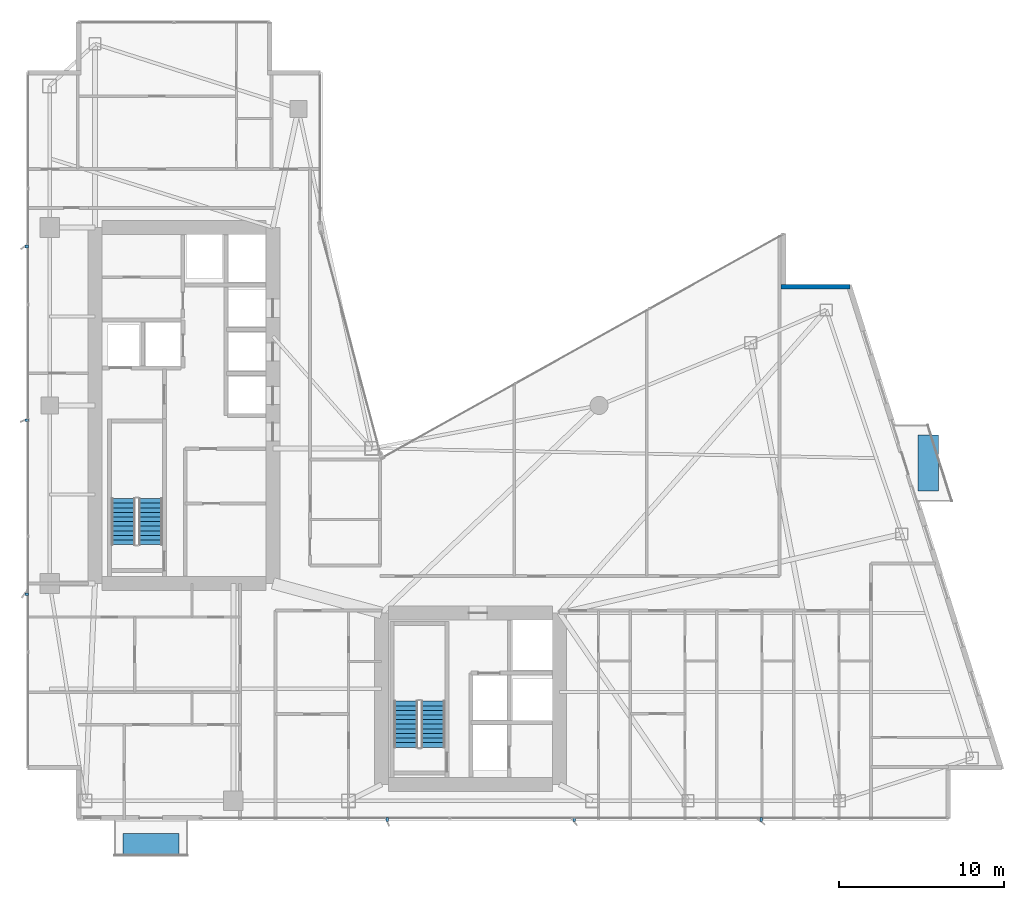
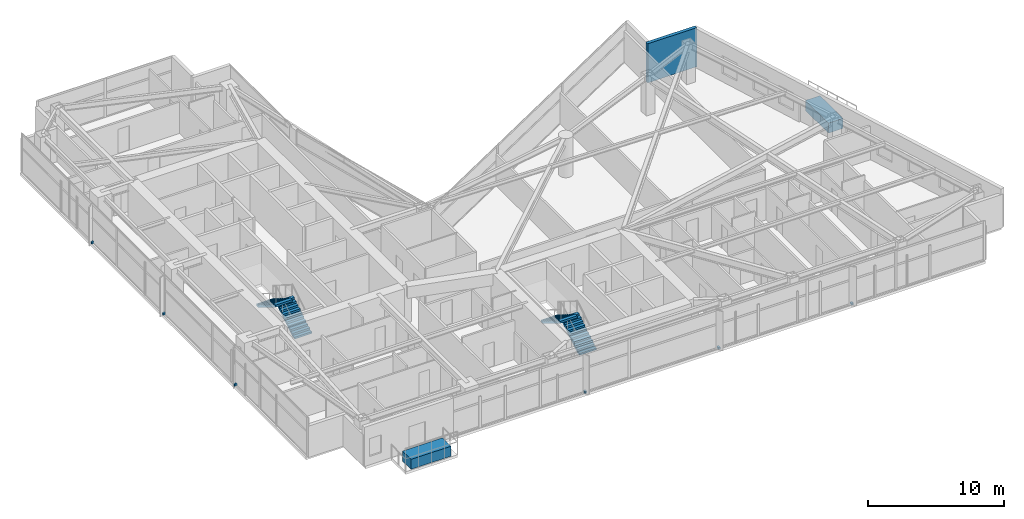
# One storey, part 26 of 28: 8 discrete accessories, 4 stair flights, 1 wall, 2 elements without a shape of their own.
"""IFC4 building model written with IfcOpenShell, lengths in metres."""

from ifc_helpers import new_model, si_unit, direction, frame, frame_2d, origin, origin_2d, place, context, subcontext, project, spatial, polyline, rectangle, outline, extrude, material, layer, layer_set, type_object, element, aggregate, save


model = new_model("IFC4")

# Units and contexts
model_context = context("Model", 3, precision=1e-05, world=origin(), true_north=direction((0.0, 1.0)))
body_context = subcontext(model_context, "Body", "Model", "MODEL_VIEW")
ifc_project = project(units=[si_unit("LENGTHUNIT", "METRE"), si_unit("AREAUNIT", "SQUARE_METRE"), si_unit("VOLUMEUNIT", "CUBIC_METRE"), si_unit("PLANEANGLEUNIT", "RADIAN"), si_unit("MASSUNIT", "GRAM", prefix="KILO")], contexts=[model_context])

# Site, building, storey
site_placement = place(None, origin())
site = spatial("IfcSite", under=ifc_project, at=site_placement, CompositionType="ELEMENT")
building_placement = place(site_placement, origin())
building = spatial("IfcBuilding", under=site, at=building_placement, Name="Calvorn Quay Hotel", CompositionType="ELEMENT")
storey_placement = place(building_placement, frame((0.0, 0.0, 135.39990234375)))
storey = spatial("IfcBuildingStorey", under=building, at=storey_placement, Name="L33", CompositionType="ELEMENT", Elevation=135.39990234375)

# Wall
ifc_material_1 = material(Name="Concrete C40", Category="concrete")
ifc_layer = layer(ifc_material_1, 0.320068359375)
ifc_layer_set = layer_set([ifc_layer], Name="WL-EXT-SPANDREL-320")
wall_type = type_object("IfcWallType", Name="WL-EXT-SPANDREL-320", PredefinedType="SOLIDWALL", material=ifc_layer_set)
wall_placement = place(storey_placement, frame((50.0400390625, 34.800048828125, 0.0), z_axis=(0.0, 0.0, 1.0), x_axis=(-1.0, 0.0, 0.0)))
element("IfcWall", 1, at=wall_placement, inside=storey, type_object=wall_type, Name="Notched Corner Spandrel L33-NE1", PredefinedType="SOLIDWALL", context=body_context, shape_type="SweptSolid", body=[
    extrude(rectangle(XDim=4.179931640625, YDim=0.280029296875, at=frame_2d((2.08984375, 0.0))), origin(), (0.0, 0.0, 1.0), 3.52001953125),
])

# Stair, stair flights
ifc_material_2 = material(Name="Concrete C40", Category="concrete")
stair_type = type_object("IfcStairType", Name="STR-CORE-DOGLEG", PredefinedType="HALF_TURN_STAIR", material=ifc_material_2)
stair_1_placement = place(storey_placement, origin())
stair_1 = element("IfcStair", 2, at=stair_1_placement, inside=storey, type_object=stair_type, Name="L33 ST-W", PredefinedType="HALF_TURN_STAIR")
ifc_material_3 = material(Name="Concrete C40", Category="concrete")
stair_flight_type = type_object("IfcStairFlightType", Name="FLT-CORE-1550", PredefinedType="STRAIGHT", material=ifc_material_3)
stair_flight_1_placement = place(storey_placement, frame((7.574951171875, 19.14990234375, 0.0), z_axis=(0.0, 0.0, 1.0), x_axis=(0.0, 1.0, 0.0)))
stair_flight_1 = element("IfcStairFlight", 3, at=stair_flight_1_placement, type_object=stair_flight_type, Name="ST-W flight 1", NumberOfRisers=11, NumberOfTreads=10, PredefinedType="STRAIGHT", RiserHeight=0.172727273, TreadLength=0.28, context=body_context, shape_type="SweptSolid", body=[
    extrude(outline(polyline([(0.0, 0.0), (0.0, 0.172607421875), (0.280029296875, 0.172607421875), (0.280029296875, 0.345458984375), (0.56005859375, 0.345458984375), (0.56005859375, 0.51806640625), (0.840087890625, 0.51806640625), (0.840087890625, 0.69091796875), (1.1201171875, 0.69091796875), (1.1201171875, 0.863525390625), (1.39990234375, 0.863525390625), (1.39990234375, 1.036376953125), (1.679931640625, 1.036376953125), (1.679931640625, 1.208984375), (1.9599609375, 1.208984375), (1.9599609375, 1.3818359375), (2.239990234375, 1.3818359375), (2.239990234375, 1.554443359375), (2.52001953125, 1.554443359375), (2.52001953125, 1.727294921875), (2.800048828125, 1.727294921875), (2.800048828125, 1.89990234375), (2.800048828125, 1.551025390625), (0.285400390625, 0.0), (0.0, 0.0)])), frame((0.0, 0.72509765625, 0.0), z_axis=(0.0, -1.0, 0.0), x_axis=(1.0, 0.0, 0.0)), (0.0, 0.0, 1.0), 1.449951171875),
])
stair_flight_2_placement = place(storey_placement, frame((5.925048828125, 21.949951171875, 1.900146484375), z_axis=(0.0, 0.0, 1.0), x_axis=(0.0, -1.0, 0.0)))
stair_flight_2 = element("IfcStairFlight", 4, at=stair_flight_2_placement, type_object=stair_flight_type, Name="ST-W flight 2", NumberOfRisers=11, NumberOfTreads=10, PredefinedType="STRAIGHT", RiserHeight=0.172727273, TreadLength=0.28, context=body_context, shape_type="SweptSolid", body=[
    extrude(outline(polyline([(0.0, 0.0), (0.0, 0.172607421875), (0.280029296875, 0.172607421875), (0.280029296875, 0.345458984375), (0.56005859375, 0.345458984375), (0.56005859375, 0.51806640625), (0.840087890625, 0.51806640625), (0.840087890625, 0.69091796875), (1.1201171875, 0.69091796875), (1.1201171875, 0.863525390625), (1.39990234375, 0.863525390625), (1.39990234375, 1.036376953125), (1.679931640625, 1.036376953125), (1.679931640625, 1.208984375), (1.9599609375, 1.208984375), (1.9599609375, 1.3818359375), (2.239990234375, 1.3818359375), (2.239990234375, 1.554443359375), (2.52001953125, 1.554443359375), (2.52001953125, 1.727294921875), (2.800048828125, 1.727294921875), (2.800048828125, 1.89990234375), (2.800048828125, 1.551025390625), (0.285400390625, 0.0), (0.0, 0.0)])), frame((0.0, 0.72509765625, 0.0), z_axis=(0.0, -1.0, 0.0), x_axis=(1.0, 0.0, 0.0)), (0.0, 0.0, 1.0), 1.449951171875),
])
aggregate(stair_1, [stair_flight_1, stair_flight_2])

stair_2_placement = place(storey_placement, origin())
stair_2 = element("IfcStair", 5, at=stair_2_placement, inside=storey, type_object=stair_type, Name="L33 ST-E", PredefinedType="HALF_TURN_STAIR")
stair_flight_3_placement = place(storey_placement, frame((24.72509765625, 6.85009765625, 0.0), z_axis=(0.0, 0.0, 1.0), x_axis=(0.0, 1.0, 0.0)))
stair_flight_3 = element("IfcStairFlight", 6, at=stair_flight_3_placement, type_object=stair_flight_type, Name="ST-E flight 1", NumberOfRisers=11, NumberOfTreads=10, PredefinedType="STRAIGHT", RiserHeight=0.172727273, TreadLength=0.28, context=body_context, shape_type="SweptSolid", body=[
    extrude(outline(polyline([(0.0, 0.0), (0.0, 0.172607421875), (0.280029296875, 0.172607421875), (0.280029296875, 0.345458984375), (0.56005859375, 0.345458984375), (0.56005859375, 0.51806640625), (0.840087890625, 0.51806640625), (0.840087890625, 0.69091796875), (1.1201171875, 0.69091796875), (1.1201171875, 0.863525390625), (1.39990234375, 0.863525390625), (1.39990234375, 1.036376953125), (1.679931640625, 1.036376953125), (1.679931640625, 1.208984375), (1.9599609375, 1.208984375), (1.9599609375, 1.3818359375), (2.239990234375, 1.3818359375), (2.239990234375, 1.554443359375), (2.52001953125, 1.554443359375), (2.52001953125, 1.727294921875), (2.800048828125, 1.727294921875), (2.800048828125, 1.89990234375), (2.800048828125, 1.551025390625), (0.285400390625, 0.0), (0.0, 0.0)])), frame((0.0, 0.72509765625, 0.0), z_axis=(0.0, -1.0, 0.0), x_axis=(1.0, 0.0, 0.0)), (0.0, 0.0, 1.0), 1.449951171875),
])
stair_flight_4_placement = place(storey_placement, frame((23.074951171875, 9.64990234375, 1.900146484375), z_axis=(0.0, 0.0, 1.0), x_axis=(0.0, -1.0, 0.0)))
stair_flight_4 = element("IfcStairFlight", 7, at=stair_flight_4_placement, type_object=stair_flight_type, Name="ST-E flight 2", NumberOfRisers=11, NumberOfTreads=10, PredefinedType="STRAIGHT", RiserHeight=0.172727273, TreadLength=0.28, context=body_context, shape_type="SweptSolid", body=[
    extrude(outline(polyline([(0.0, 0.0), (0.0, 0.172607421875), (0.280029296875, 0.172607421875), (0.280029296875, 0.345458984375), (0.56005859375, 0.345458984375), (0.56005859375, 0.51806640625), (0.840087890625, 0.51806640625), (0.840087890625, 0.69091796875), (1.1201171875, 0.69091796875), (1.1201171875, 0.863525390625), (1.39990234375, 0.863525390625), (1.39990234375, 1.036376953125), (1.679931640625, 1.036376953125), (1.679931640625, 1.208984375), (1.9599609375, 1.208984375), (1.9599609375, 1.3818359375), (2.239990234375, 1.3818359375), (2.239990234375, 1.554443359375), (2.52001953125, 1.554443359375), (2.52001953125, 1.727294921875), (2.800048828125, 1.727294921875), (2.800048828125, 1.89990234375), (2.800048828125, 1.551025390625), (0.285400390625, 0.0), (0.0, 0.0)])), frame((0.0, 0.72509765625, 0.0), z_axis=(0.0, -1.0, 0.0), x_axis=(1.0, 0.0, 0.0)), (0.0, 0.0, 1.0), 1.449951171875),
])
aggregate(stair_2, [stair_flight_3, stair_flight_4])

# Discrete accessories
ifc_material_4 = material(Name="Steel Q355B", Category="steel")
discrete_accessory_type_1 = type_object("IfcDiscreteAccessoryType", Name="ACC-FIN-BRACKET", PredefinedType="BRACKET", material=ifc_material_4)
for number, where, z_axis, x_axis, name in (
    (8, (0.06005859375, 16.14990234375, 0.0302734375), (0.0, 0.0, 1.0), (1.0, 0.0, 0.0), "Fin Anchor Bracket L33-W01"),
    (9, (0.06005859375, 26.699951171875, 0.0302734375), (0.0, 0.0, 1.0), (1.0, 0.0, 0.0), "Fin Anchor Bracket L33-W02"),
    (10, (0.06005859375, 37.25, 0.0302734375), (0.0, 0.0, 1.0), (1.0, 0.0, 0.0), "Fin Anchor Bracket L33-W03"),
    (11, (21.949951171875, 2.4599609375, 0.0302734375), (0.0, 0.0, 1.0), (0.0, 1.0, 0.0), "Fin Anchor Bracket L33-S01"),
    (12, (33.300048828125, 2.4599609375, 0.0302734375), (0.0, 0.0, 1.0), (0.0, 1.0, 0.0), "Fin Anchor Bracket L33-S02"),
    (13, (44.64990234375, 2.4599609375, 0.0302734375), (0.0, 0.0, 1.0), (0.0, 1.0, 0.0), "Fin Anchor Bracket L33-S03"),
):
    element("IfcDiscreteAccessory", number, at=place(storey_placement, frame(where, z_axis=z_axis, x_axis=x_axis)), inside=storey, type_object=discrete_accessory_type_1, Name=name, PredefinedType="BRACKET", context=body_context, shape_type="SweptSolid", body=[
        extrude(rectangle(XDim=0.239990234375, YDim=0.159912109375, at=origin_2d()), origin(), (0.0, 0.0, 1.0), 0.179931640625),
    ])
ifc_material_5 = material(Name="Precast concrete C40", Category="concrete")
discrete_accessory_type_2 = type_object("IfcDiscreteAccessoryType", Name="ACC-TREE-PLANTER", PredefinedType="USERDEFINED", material=ifc_material_5)
discrete_accessory_1_placement = place(storey_placement, frame((54.781982421875, 24.10009765625, 0.000244140625), z_axis=(0.0, 0.0, 1.0), x_axis=(1.0, 0.0, 0.0)))
element("IfcDiscreteAccessory", 14, at=discrete_accessory_1_placement, inside=storey, type_object=discrete_accessory_type_2, Name="Subtropical Tree Structural Planter L33-BALC-E", ObjectType="PLANTER", PredefinedType="USERDEFINED", context=body_context, shape_type="SweptSolid", body=[
    extrude(rectangle(XDim=1.25, YDim=3.39990234375, at=origin_2d()), origin(), (0.0, 0.0, 1.0), 0.89990234375),
])
discrete_accessory_2_placement = place(storey_placement, frame((7.60009765625, 0.989990234375, 0.000244140625), z_axis=(0.0, 0.0, 1.0), x_axis=(1.0, 0.0, 0.0)))
element("IfcDiscreteAccessory", 15, at=discrete_accessory_2_placement, inside=storey, type_object=discrete_accessory_type_2, Name="Subtropical Tree Structural Planter L33-BALC-S", ObjectType="PLANTER", PredefinedType="USERDEFINED", context=body_context, shape_type="SweptSolid", body=[
    extrude(rectangle(XDim=3.39990234375, YDim=1.25, at=origin_2d()), origin(), (0.0, 0.0, 1.0), 0.89990234375),
])

save(model, "model.ifc")
